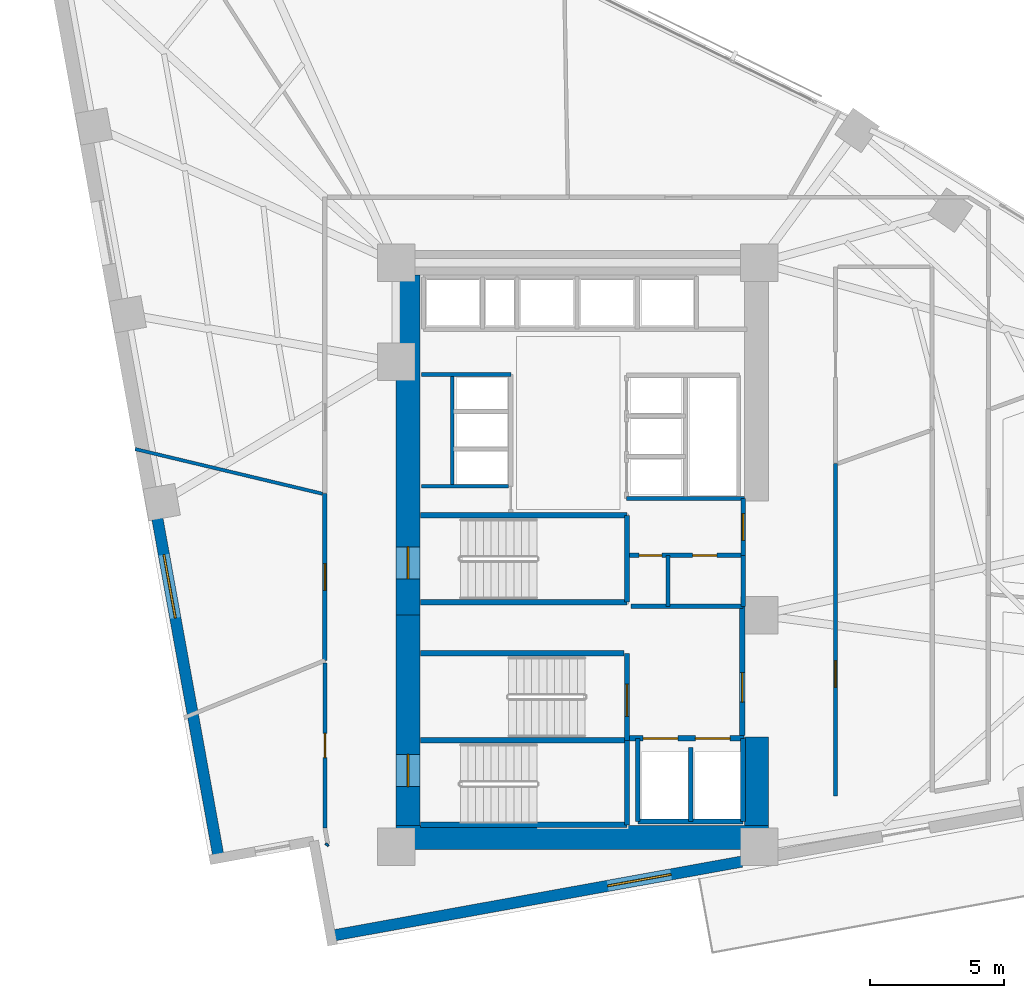
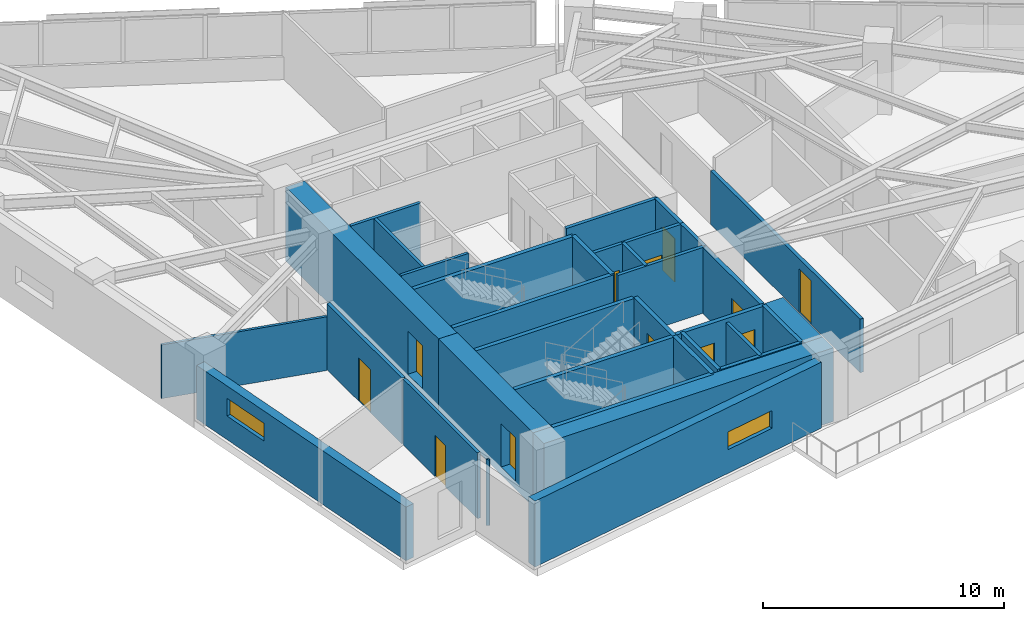
# One storey, part 13 of 18: 34 walls, 12 doors, 2 windows, 14 openings.
"""IFC4 building model written with IfcOpenShell, lengths in metres."""

from ifc_helpers import new_model, si_unit, direction, frame, frame_2d, origin, place, context, subcontext, project, spatial, rectangle, extrude, material, layer, layer_set, type_object, element, fill, save


model = new_model("IFC4")

# Units and contexts
model_context = context("Model", 3, precision=1e-05, world=origin(), true_north=direction((0.0, 1.0)))
body_context = subcontext(model_context, "Body", "Model", "MODEL_VIEW")
ifc_project = project(units=[si_unit("LENGTHUNIT", "METRE"), si_unit("AREAUNIT", "SQUARE_METRE"), si_unit("VOLUMEUNIT", "CUBIC_METRE"), si_unit("PLANEANGLEUNIT", "RADIAN"), si_unit("MASSUNIT", "GRAM", prefix="KILO")], contexts=[model_context])

# Site, building, storey
site_placement = place(None, origin())
site = spatial("IfcSite", under=ifc_project, at=site_placement, CompositionType="ELEMENT")
building_placement = place(site_placement, origin())
building = spatial("IfcBuilding", under=site, at=building_placement, Name="Narakoshi Arena Tower", CompositionType="ELEMENT")
storey_placement = place(building_placement, frame((0.0, 0.0, 95.699951171875)))
storey = spatial("IfcBuildingStorey", under=building, at=storey_placement, Name="L25", CompositionType="ELEMENT", Elevation=95.699951171875)

# Wall, opening, door
ifc_material_1 = material(Name="Concrete C60/75", Category="concrete")
ifc_layer_1 = layer(ifc_material_1, 0.89990234375)
ifc_layer_set_1 = layer_set([ifc_layer_1], Name="Concrete C60/75")
wall_type_1 = type_object("IfcWallType", Name="WL-CORE-900", PredefinedType="SHEAR", material=ifc_layer_set_1)
wall_1_placement = place(storey_placement, frame((72.449951171875, 35.5, -0.39990234375), z_axis=(0.0, 0.0, 1.0), x_axis=(0.0, 1.0, 0.0)))
wall_1 = element("IfcWall", 1, at=wall_1_placement, inside=storey, type_object=wall_type_1, Name="L25 Central Core Shear Wall CW-APX-W", PredefinedType="SHEAR", context=body_context, shape_type="SweptSolid", body=[
    extrude(rectangle(XDim=7.85009765625, YDim=0.89990234375, at=frame_2d((3.925048828125, 0.0))), origin(), (0.0, 0.0, 1.0), 3.739990234375),
])
opening_1_placement = place(wall_1_placement, frame((1.449951171875, 0.0, 0.39990234375)))
opening_1 = element("IfcOpeningElement", 2, at=opening_1_placement, cuts=wall_1, Name="Opening D-03", PredefinedType="OPENING", context=body_context, shape_type="SweptSolid", body=[
    extrude(rectangle(XDim=1.199951171875, YDim=2.199951171875, at=frame_2d((0.60009765625, 1.10009765625))), frame((0.0, 0.4599609375, 0.0), z_axis=(0.0, -1.0, 0.0), x_axis=(1.0, 0.0, 0.0)), (0.0, 0.0, 1.0), 0.919921875),
])
ifc_material_2 = material(Name="Painted galvanized steel", Category="steel")
door_type_1 = type_object("IfcDoorType", Name="DR-STR-1200", OperationType="NOTDEFINED", PredefinedType="USERDEFINED", material=ifc_material_2)
door_1_placement = place(opening_1_placement, frame((1.199951171875, 0.0, 0.0), z_axis=(0.0, 0.0, 1.0), x_axis=(-1.0, 0.0, 0.0)))
door_1 = element("IfcDoor", 3, at=door_1_placement, inside=storey, type_object=door_type_1, Name="DR-L25-002", ObjectType="EXITDOOR", OperationType="SINGLE_SWING_LEFT", OverallHeight=2.199951171875, OverallWidth=1.199951171875, PredefinedType="USERDEFINED", context=body_context, shape_type="SweptSolid", body=[
    extrude(rectangle(XDim=1.199951171875, YDim=2.199951171875, at=frame_2d((0.60009765625, 1.10009765625))), frame((0.0, 0.02490234375, 0.0), z_axis=(0.0, -1.0, 0.0), x_axis=(1.0, 0.0, 0.0)), (0.0, 0.0, 1.0), 0.050048828125),
])
fill(opening_1, door_1)

# Walls
wall_2_placement = place(storey_placement, frame((72.0, 35.050048828125, -0.39990234375), z_axis=(0.0, 0.0, 1.0), x_axis=(1.0, 0.0, 0.0)))
element("IfcWall", 4, at=wall_2_placement, inside=storey, type_object=wall_type_1, Name="L25 Central Core Shear Wall CW-APX-S", PredefinedType="SHEAR", context=body_context, shape_type="SweptSolid", body=[
    extrude(rectangle(XDim=13.89990234375, YDim=0.89990234375, at=frame_2d((6.949951171875, 0.0))), origin(), (0.0, 0.0, 1.0), 3.739990234375),
])
wall_3_placement = place(storey_placement, frame((85.449951171875, 35.5, -0.39990234375), z_axis=(0.0, 0.0, 1.0), x_axis=(0.0, 1.0, 0.0)))
element("IfcWall", 5, at=wall_3_placement, inside=storey, type_object=wall_type_1, Name="L25 Central Core Shear Wall CW-APX-E", PredefinedType="SHEAR", context=body_context, shape_type="SweptSolid", body=[
    extrude(rectangle(XDim=3.300048828125, YDim=0.89990234375, at=frame_2d((1.64990234375, 0.0))), origin(), (0.0, 0.0, 1.0), 3.739990234375),
])

# Wall, opening, door
wall_4_placement = place(storey_placement, frame((72.449951171875, 43.35009765625, -0.39990234375), z_axis=(0.0, 0.0, 1.0), x_axis=(0.0, 1.0, 0.0)))
wall_4 = element("IfcWall", 6, at=wall_4_placement, inside=storey, type_object=wall_type_1, Name="L25 Main Core Shear Wall CW-MN-W", PredefinedType="SHEAR", context=body_context, shape_type="SweptSolid", body=[
    extrude(rectangle(XDim=12.699951171875, YDim=0.89990234375, at=frame_2d((6.35009765625, 0.0))), origin(), (0.0, 0.0, 1.0), 3.739990234375),
])
opening_2_placement = place(wall_4_placement, frame((1.35009765625, 0.0, 0.39990234375)))
opening_2 = element("IfcOpeningElement", 7, at=opening_2_placement, cuts=wall_4, Name="Opening D-03", PredefinedType="OPENING", context=body_context, shape_type="SweptSolid", body=[
    extrude(rectangle(XDim=1.199951171875, YDim=2.199951171875, at=frame_2d((0.60009765625, 1.10009765625))), frame((0.0, 0.4599609375, 0.0), z_axis=(0.0, -1.0, 0.0), x_axis=(1.0, 0.0, 0.0)), (0.0, 0.0, 1.0), 0.919921875),
])
door_2_placement = place(opening_2_placement, frame((1.199951171875, 0.0, 0.0), z_axis=(0.0, 0.0, 1.0), x_axis=(-1.0, 0.0, 0.0)))
door_2 = element("IfcDoor", 8, at=door_2_placement, inside=storey, type_object=door_type_1, Name="DR-L25-007", ObjectType="EXITDOOR", OperationType="SINGLE_SWING_LEFT", OverallHeight=2.199951171875, OverallWidth=1.199951171875, PredefinedType="USERDEFINED", context=body_context, shape_type="SweptSolid", body=[
    extrude(rectangle(XDim=1.199951171875, YDim=2.199951171875, at=frame_2d((0.60009765625, 1.10009765625))), frame((0.0, 0.02490234375, 0.0), z_axis=(0.0, -1.0, 0.0), x_axis=(1.0, 0.0, 0.0)), (0.0, 0.0, 1.0), 0.050048828125),
])
fill(opening_2, door_2)

ifc_material_3 = material(Name="Gypsum plasterboard fire-rated partition")
ifc_layer_2 = layer(ifc_material_3, 0.1650390625)
ifc_layer_set_2 = layer_set([ifc_layer_2], Name="Gypsum plasterboard fire-rated partition")
wall_type_2 = type_object("IfcWallType", Name="WL-CORR-165", PredefinedType="PARTITIONING", material=ifc_layer_set_2)
wall_5_placement = place(storey_placement, frame((84.949951171875, 45.580078125, 0.0), z_axis=(0.0, 0.0, 1.0), x_axis=(0.0, 1.0, 0.0)))
wall_5 = element("IfcWall", 9, at=wall_5_placement, inside=storey, type_object=wall_type_2, Name="L25 Core Wall CPAS-E", PredefinedType="PARTITIONING", context=body_context, shape_type="SweptSolid", body=[
    extrude(rectangle(XDim=2.119873046875, YDim=0.1650390625, at=frame_2d((1.06005859375, 0.0))), origin(), (0.0, 0.0, 1.0), 3.340087890625),
])
opening_3_placement = place(wall_5_placement, frame((0.56005859375, 0.0, 0.0)))
opening_3 = element("IfcOpeningElement", 10, at=opening_3_placement, cuts=wall_5, Name="Opening D-06", PredefinedType="OPENING", context=body_context, shape_type="SweptSolid", body=[
    extrude(rectangle(XDim=1.0, YDim=2.199951171875, at=frame_2d((0.5, 1.10009765625))), frame((0.0, 0.092529296875, 0.0), z_axis=(0.0, -1.0, 0.0), x_axis=(1.0, 0.0, 0.0)), (0.0, 0.0, 1.0), 0.18505859375),
])
ifc_material_4 = material(Name="Stained oak solid-core timber", Category="wood")
door_type_2 = type_object("IfcDoorType", Name="DR-OFF-1000", OperationType="NOTDEFINED", PredefinedType="DOOR", material=ifc_material_4)
door_3_placement = place(opening_3_placement, frame((1.0, 0.0, 0.0), z_axis=(0.0, 0.0, 1.0), x_axis=(-1.0, 0.0, 0.0)))
door_3 = element("IfcDoor", 11, at=door_3_placement, inside=storey, type_object=door_type_2, Name="DR-L25-008", OperationType="SINGLE_SWING_LEFT", OverallHeight=2.199951171875, OverallWidth=1.0, PredefinedType="DOOR", context=body_context, shape_type="SweptSolid", body=[
    extrude(rectangle(XDim=1.0, YDim=2.199951171875, at=frame_2d((0.5, 1.10009765625))), frame((0.0, 0.02490234375, 0.0), z_axis=(0.0, -1.0, 0.0), x_axis=(1.0, 0.0, 0.0)), (0.0, 0.0, 1.0), 0.050048828125),
])
fill(opening_3, door_3)

wall_6_placement = place(storey_placement, frame((69.344970703125, 47.891357421875, 0.0), z_axis=(0.0, 0.0, 1.0), x_axis=(0.0, -1.0, 0.0)))
wall_6 = element("IfcWall", 12, at=wall_6_placement, inside=storey, type_object=wall_type_2, Name="L25 Corridor Partition 01-1", PredefinedType="PARTITIONING", context=body_context, shape_type="SweptSolid", body=[
    extrude(rectangle(XDim=6.23193359375, YDim=0.1650390625, at=frame_2d((3.115966796875, 0.0))), origin(), (0.0, 0.0, 1.0), 3.340087890625),
])
opening_4_placement = place(wall_6_placement, frame((2.615966796875, 0.0, 0.0)))
opening_4 = element("IfcOpeningElement", 13, at=opening_4_placement, cuts=wall_6, Name="Opening D-06", PredefinedType="OPENING", context=body_context, shape_type="SweptSolid", body=[
    extrude(rectangle(XDim=1.0, YDim=2.199951171875, at=frame_2d((0.5, 1.10009765625))), frame((0.0, 0.092529296875, 0.0), z_axis=(0.0, -1.0, 0.0), x_axis=(1.0, 0.0, 0.0)), (0.0, 0.0, 1.0), 0.18505859375),
])
door_4_placement = place(opening_4_placement, frame((1.0, 0.0, 0.0), z_axis=(0.0, 0.0, 1.0), x_axis=(-1.0, 0.0, 0.0)))
door_4 = element("IfcDoor", 14, at=door_4_placement, inside=storey, type_object=door_type_2, Name="DR-L25-015", OperationType="SINGLE_SWING_LEFT", OverallHeight=2.199951171875, OverallWidth=1.0, PredefinedType="DOOR", context=body_context, shape_type="SweptSolid", body=[
    extrude(rectangle(XDim=1.0, YDim=2.199951171875, at=frame_2d((0.5, 1.10009765625))), frame((0.0, 0.02490234375, 0.0), z_axis=(0.0, -1.0, 0.0), x_axis=(1.0, 0.0, 0.0)), (0.0, 0.0, 1.0), 0.050048828125),
])
fill(opening_4, door_4)

wall_7_placement = place(storey_placement, frame((88.39990234375, 36.59912109375, 0.0), z_axis=(0.0, 0.0, 1.0), x_axis=(0.0, 1.0, 0.0)))
wall_7 = element("IfcWall", 15, at=wall_7_placement, inside=storey, type_object=wall_type_2, Name="L25 Corridor Partition 04-1", PredefinedType="PARTITIONING", context=body_context, shape_type="SweptSolid", body=[
    extrude(rectangle(XDim=12.41064453125, YDim=0.1650390625, at=frame_2d((6.205322265625, 0.0))), origin(), (0.0, 0.0, 1.0), 2.72509765625),
])
opening_5_placement = place(wall_7_placement, frame((4.0537109375, 0.0, 0.0)))
opening_5 = element("IfcOpeningElement", 16, at=opening_5_placement, cuts=wall_7, Name="Opening D-06", PredefinedType="OPENING", context=body_context, shape_type="SweptSolid", body=[
    extrude(rectangle(XDim=1.0, YDim=2.199951171875, at=frame_2d((0.5, 1.10009765625))), frame((0.0, 0.092529296875, 0.0), z_axis=(0.0, -1.0, 0.0), x_axis=(1.0, 0.0, 0.0)), (0.0, 0.0, 1.0), 0.18505859375),
])
door_5_placement = place(opening_5_placement, frame((1.0, 0.0, 0.0), z_axis=(0.0, 0.0, 1.0), x_axis=(-1.0, 0.0, 0.0)))
door_5 = element("IfcDoor", 17, at=door_5_placement, inside=storey, type_object=door_type_2, Name="DR-L25-018", OperationType="SINGLE_SWING_RIGHT", OverallHeight=2.199951171875, OverallWidth=1.0, PredefinedType="DOOR", context=body_context, shape_type="SweptSolid", body=[
    extrude(rectangle(XDim=1.0, YDim=2.199951171875, at=frame_2d((0.5, 1.10009765625))), frame((0.0, 0.02490234375, 0.0), z_axis=(0.0, -1.0, 0.0), x_axis=(1.0, 0.0, 0.0)), (0.0, 0.0, 1.0), 0.050048828125),
])
fill(opening_5, door_5)

# Wall
ifc_layer_3 = layer(ifc_material_3, 0.125)
ifc_layer_set_3 = layer_set([ifc_layer_3], Name="Gypsum plasterboard fire-rated partition")
wall_type_3 = type_object("IfcWallType", Name="WL-PART-125", PredefinedType="PARTITIONING", material=ifc_layer_set_3)
wall_8_placement = place(storey_placement, frame((62.267333984375, 49.54541015625, 0.0), z_axis=(0.0, 0.0, 1.0), x_axis=(0.972677629919, -0.23215991957, 0.0)))
element("IfcWall", 18, at=wall_8_placement, inside=storey, type_object=wall_type_3, Name="L25 Inter-Room Partition 01-09", PredefinedType="PARTITIONING", context=body_context, shape_type="SweptSolid", body=[
    extrude(rectangle(XDim=7.17919921875, YDim=0.125, at=frame_2d((3.589599609375, 0.0))), origin(), (0.0, 0.0, 1.0), 2.72509765625),
])

# Wall, opening, window
ifc_material_5 = material(Name="Precast concrete C45/55", Category="concrete")
ifc_layer_4 = layer(ifc_material_5, 0.419921875)
ifc_layer_set_4 = layer_set([ifc_layer_4], Name="Precast concrete C45/55")
wall_type_4 = type_object("IfcWallType", Name="WL-POD-420", PredefinedType="SOLIDWALL", material=ifc_layer_set_4)
wall_9_placement = place(storey_placement, frame((69.564697265625, 31.376953125, 0.0), z_axis=(0.0, 0.0, 1.0), x_axis=(0.98404091451, 0.177942346197, 0.0)))
wall_9 = element("IfcWall", 19, at=wall_9_placement, inside=storey, type_object=wall_type_4, Name="L25 Architectural Concrete Facade Wall LEGA-1", PredefinedType="SOLIDWALL", context=body_context, shape_type="SweptSolid", body=[
    extrude(rectangle(XDim=15.58349609375, YDim=0.419921875, at=frame_2d((7.791748046875, 0.0))), origin(), (0.0, 0.0, 1.0), 3.340087890625),
])
opening_6_placement = place(wall_9_placement, frame((10.5, 0.0, 1.199951171875)))
opening_6 = element("IfcOpeningElement", 20, at=opening_6_placement, cuts=wall_9, Name="Opening WN-01", PredefinedType="OPENING", context=body_context, shape_type="SweptSolid", body=[
    extrude(rectangle(XDim=2.39990234375, YDim=0.89990234375, at=frame_2d((1.199951171875, 0.449951171875))), frame((0.0, 0.219970703125, 0.0), z_axis=(0.0, -1.0, 0.0), x_axis=(1.0, 0.0, 0.0)), (0.0, 0.0, 1.0), 0.43994140625),
])
ifc_material_6 = material(Name="Bronze-tinted low-E laminated glass", Category="glass")
window_type = type_object("IfcWindowType", Name="WIN-SLT-24x09", PartitioningType="SINGLE_PANEL", PredefinedType="WINDOW", material=ifc_material_6)
window_1_placement = place(opening_6_placement, origin())
window_1 = element("IfcWindow", 21, at=window_1_placement, inside=storey, type_object=window_type, Name="L25 LEGA1 Horizontal Slot Window 1", OverallHeight=0.89990234375, OverallWidth=2.39990234375, PartitioningType="SINGLE_PANEL", PredefinedType="WINDOW", context=body_context, shape_type="SweptSolid", body=[
    extrude(rectangle(XDim=2.39990234375, YDim=0.89990234375, at=frame_2d((1.199951171875, 0.449951171875))), frame((0.0, 0.030029296875, 0.0), z_axis=(0.0, -1.0, 0.0), x_axis=(1.0, 0.0, 0.0)), (0.0, 0.0, 1.0), 0.06005859375),
])
fill(opening_6, window_1)

wall_10_placement = place(storey_placement, frame((62.989501953125, 47.517578125, 0.0), z_axis=(0.0, 0.0, 1.0), x_axis=(0.177948058674, -0.984039881516, 0.0)))
wall_10 = element("IfcWall", 22, at=wall_10_placement, inside=storey, type_object=wall_type_4, Name="L25 Architectural Concrete Facade Wall LEGB-3", PredefinedType="SOLIDWALL", context=body_context, shape_type="SweptSolid", body=[
    extrude(rectangle(XDim=13.455078125, YDim=0.419921875, at=frame_2d((6.7275390625, 0.0))), origin(), (0.0, 0.0, 1.0), 2.72509765625),
])
opening_7_placement = place(wall_10_placement, frame((1.945068359375, 0.0, 1.199951171875)))
opening_7 = element("IfcOpeningElement", 23, at=opening_7_placement, cuts=wall_10, Name="Opening WN-01", PredefinedType="OPENING", context=body_context, shape_type="SweptSolid", body=[
    extrude(rectangle(XDim=2.39990234375, YDim=0.89990234375, at=frame_2d((1.199951171875, 0.449951171875))), frame((0.0, 0.219970703125, 0.0), z_axis=(0.0, -1.0, 0.0), x_axis=(1.0, 0.0, 0.0)), (0.0, 0.0, 1.0), 0.43994140625),
])
window_2_placement = place(opening_7_placement, origin())
window_2 = element("IfcWindow", 24, at=window_2_placement, inside=storey, type_object=window_type, Name="L25 LEGB3 Horizontal Slot Window 1", OverallHeight=0.89990234375, OverallWidth=2.39990234375, PartitioningType="SINGLE_PANEL", PredefinedType="WINDOW", context=body_context, shape_type="SweptSolid", body=[
    extrude(rectangle(XDim=2.39990234375, YDim=0.89990234375, at=frame_2d((1.199951171875, 0.449951171875))), frame((0.0, 0.030029296875, 0.0), z_axis=(0.0, -1.0, 0.0), x_axis=(1.0, 0.0, 0.0)), (0.0, 0.0, 1.0), 0.06005859375),
])
fill(opening_7, window_2)

# Walls
ifc_material_7 = material(Name="Concrete C40/50", Category="concrete")
ifc_layer_5 = layer(ifc_material_7, 0.280029296875)
ifc_layer_set_5 = layer_set([ifc_layer_5], Name="Concrete C40/50")
wall_type_5 = type_object("IfcWallType", Name="WL-RISER-280", PredefinedType="PLUMBINGWALL", material=ifc_layer_set_5)
wall_11_placement = place(storey_placement, frame((83.0, 35.64990234375, 0.0), z_axis=(0.0, 0.0, 1.0), x_axis=(0.0, 1.0, 0.0)))
element("IfcWall", 25, at=wall_11_placement, inside=storey, type_object=wall_type_5, Name="L25 Core Wall FF-DIV", PredefinedType="PLUMBINGWALL", context=body_context, shape_type="SweptSolid", body=[
    extrude(rectangle(XDim=2.75, YDim=0.159912109375, at=frame_2d((1.375, 0.0))), origin(), (0.0, 0.0, 1.0), 3.340087890625),
])
wall_12_placement = place(storey_placement, frame((84.949951171875, 43.679931640625, 0.0), z_axis=(0.0, 0.0, 1.0), x_axis=(0.0, 1.0, 0.0)))
element("IfcWall", 26, at=wall_12_placement, inside=storey, type_object=wall_type_5, Name="L25 Core Wall RSR-E", PredefinedType="PLUMBINGWALL", context=body_context, shape_type="SweptSolid", body=[
    extrude(rectangle(XDim=1.900146484375, YDim=0.1650390625, at=frame_2d((0.9501953125, 0.0))), origin(), (0.0, 0.0, 1.0), 3.340087890625),
])

# Wall, openings, doors
wall_13_placement = place(storey_placement, frame((80.719970703125, 45.580078125, 0.0), z_axis=(0.0, 0.0, 1.0), x_axis=(1.0, 0.0, 0.0)))
wall_13 = element("IfcWall", 27, at=wall_13_placement, inside=storey, type_object=wall_type_5, Name="L25 Core Wall RSR-N", PredefinedType="PLUMBINGWALL", context=body_context, shape_type="SweptSolid", body=[
    extrude(rectangle(XDim=4.22998046875, YDim=0.159912109375, at=frame_2d((2.114990234375, 0.0))), origin(), (0.0, 0.0, 1.0), 3.340087890625),
])
opening_8_placement = place(wall_13_placement, frame((0.35009765625, 0.0, 0.0)))
opening_8 = element("IfcOpeningElement", 28, at=opening_8_placement, cuts=wall_13, Name="Opening D-10", PredefinedType="OPENING", context=body_context, shape_type="SweptSolid", body=[
    extrude(rectangle(XDim=0.85009765625, YDim=2.050048828125, at=frame_2d((0.425048828125, 1.02490234375))), frame((0.0, 0.08984375, 0.0), z_axis=(0.0, -1.0, 0.0), x_axis=(1.0, 0.0, 0.0)), (0.0, 0.0, 1.0), 0.179931640625),
])
opening_9_placement = place(wall_13_placement, frame((2.35009765625, 0.0, 0.0)))
opening_9 = element("IfcOpeningElement", 29, at=opening_9_placement, cuts=wall_13, Name="Opening D-08", PredefinedType="OPENING", context=body_context, shape_type="SweptSolid", body=[
    extrude(rectangle(XDim=0.89990234375, YDim=2.10009765625, at=frame_2d((0.449951171875, 1.050048828125))), frame((0.0, 0.08984375, 0.0), z_axis=(0.0, -1.0, 0.0), x_axis=(1.0, 0.0, 0.0)), (0.0, 0.0, 1.0), 0.179931640625),
])
door_type_3 = type_object("IfcDoorType", Name="DR-RSR-850", OperationType="NOTDEFINED", PredefinedType="DOOR", material=ifc_material_2)
door_6_placement = place(opening_8_placement, frame((0.85009765625, 0.0, 0.0), z_axis=(0.0, 0.0, 1.0), x_axis=(-1.0, 0.0, 0.0)))
door_6 = element("IfcDoor", 30, at=door_6_placement, inside=storey, type_object=door_type_3, Name="DR-L25-009", OperationType="SINGLE_SWING_LEFT", OverallHeight=2.050048828125, OverallWidth=0.85009765625, PredefinedType="DOOR", context=body_context, shape_type="SweptSolid", body=[
    extrude(rectangle(XDim=0.85009765625, YDim=2.050048828125, at=frame_2d((0.425048828125, 1.02490234375))), frame((0.0, 0.02490234375, 0.0), z_axis=(0.0, -1.0, 0.0), x_axis=(1.0, 0.0, 0.0)), (0.0, 0.0, 1.0), 0.050048828125),
])
fill(opening_8, door_6)
ifc_material_8 = material(Name="Moisture-resistant laminate timber", Category="wood")
door_type_4 = type_object("IfcDoorType", Name="DR-WC-900", OperationType="NOTDEFINED", PredefinedType="DOOR", material=ifc_material_8)
door_7_placement = place(opening_9_placement, frame((0.89990234375, 0.0, 0.0), z_axis=(0.0, 0.0, 1.0), x_axis=(-1.0, 0.0, 0.0)))
door_7 = element("IfcDoor", 31, at=door_7_placement, inside=storey, type_object=door_type_4, Name="DR-L25-010", OperationType="SINGLE_SWING_RIGHT", OverallHeight=2.10009765625, OverallWidth=0.89990234375, PredefinedType="DOOR", context=body_context, shape_type="SweptSolid", body=[
    extrude(rectangle(XDim=0.89990234375, YDim=2.10009765625, at=frame_2d((0.449951171875, 1.050048828125))), frame((0.0, 0.02490234375, 0.0), z_axis=(0.0, -1.0, 0.0), x_axis=(1.0, 0.0, 0.0)), (0.0, 0.0, 1.0), 0.050048828125),
])
fill(opening_9, door_7)

# Walls
wall_14_placement = place(storey_placement, frame((80.760009765625, 43.679931640625, 0.0), z_axis=(0.0, 0.0, 1.0), x_axis=(1.0, 0.0, 0.0)))
element("IfcWall", 32, at=wall_14_placement, inside=storey, type_object=wall_type_5, Name="L25 Core Wall RSR-S", PredefinedType="PLUMBINGWALL", context=body_context, shape_type="SweptSolid", body=[
    extrude(rectangle(XDim=4.18994140625, YDim=0.159912109375, at=frame_2d((2.094970703125, 0.0))), origin(), (0.0, 0.0, 1.0), 3.340087890625),
])
wall_15_placement = place(storey_placement, frame((82.14990234375, 43.679931640625, 0.0), z_axis=(0.0, 0.0, 1.0), x_axis=(0.0, 1.0, 0.0)))
element("IfcWall", 33, at=wall_15_placement, inside=storey, type_object=wall_type_5, Name="L25 Core Wall RSR-M", PredefinedType="PLUMBINGWALL", context=body_context, shape_type="SweptSolid", body=[
    extrude(rectangle(XDim=1.900146484375, YDim=0.159912109375, at=frame_2d((0.9501953125, 0.0))), origin(), (0.0, 0.0, 1.0), 3.340087890625),
])
wall_16_placement = place(storey_placement, frame((72.949951171875, 48.159912109375, 0.0), z_axis=(0.0, 0.0, 1.0), x_axis=(1.0, 0.0, 0.0)))
element("IfcWall", 34, at=wall_16_placement, inside=storey, type_object=wall_type_5, Name="L25 Core Wall LR-S0", PredefinedType="PLUMBINGWALL", context=body_context, shape_type="SweptSolid", body=[
    extrude(rectangle(XDim=3.239990234375, YDim=0.139892578125, at=frame_2d((1.6201171875, 0.0))), origin(), (0.0, 0.0, 1.0), 3.340087890625),
])
wall_17_placement = place(storey_placement, frame((74.10009765625, 48.159912109375, 0.0), z_axis=(0.0, 0.0, 1.0), x_axis=(0.0, 1.0, 0.0)))
element("IfcWall", 35, at=wall_17_placement, inside=storey, type_object=wall_type_5, Name="L25 Core Wall LR-W", PredefinedType="PLUMBINGWALL", context=body_context, shape_type="SweptSolid", body=[
    extrude(rectangle(XDim=4.16015625, YDim=0.139892578125, at=frame_2d((2.080078125, 0.0))), origin(), (0.0, 0.0, 1.0), 3.340087890625),
])
ifc_material_9 = material(Name="Concrete C50/60", Category="concrete")
ifc_layer_6 = layer(ifc_material_9, 0.35009765625)
ifc_layer_set_6 = layer_set([ifc_layer_6], Name="Concrete C50/60")
wall_type_6 = type_object("IfcWallType", Name="WL-SHAFT-350", PredefinedType="SOLIDWALL", material=ifc_layer_set_6)
for number, where, z_axis, x_axis, name in (
    (36, (72.919921875, 35.52001953125, -0.39990234375), (0.0, 0.0, 1.0), (1.0, 0.0, 0.0), "L25 Core Wall ST1-S"),
    (37, (72.919921875, 38.675048828125, -0.39990234375), (0.0, 0.0, 1.0), (1.0, 0.0, 0.0), "L25 Core Wall ST12-DIV"),
):
    element("IfcWall", number, at=place(storey_placement, frame(where, z_axis=z_axis, x_axis=x_axis)), inside=storey, type_object=wall_type_6, Name=name, PredefinedType="SOLIDWALL", context=body_context, shape_type="SweptSolid", body=[
        extrude(rectangle(XDim=7.7001953125, YDim=0.199951171875, at=frame_2d((3.85009765625, 0.0))), origin(), (0.0, 0.0, 1.0), 3.739990234375),
    ])
wall_18_placement = place(storey_placement, frame((80.6201171875, 35.52001953125, -0.39990234375), z_axis=(0.0, 0.0, 1.0), x_axis=(0.0, 1.0, 0.0)))
element("IfcWall", 38, at=wall_18_placement, inside=storey, type_object=wall_type_6, Name="L25 Core Wall ST1-E", PredefinedType="SOLIDWALL", context=body_context, shape_type="SweptSolid", body=[
    extrude(rectangle(XDim=3.155029296875, YDim=0.199951171875, at=frame_2d((1.57763671875, 0.0))), origin(), (0.0, 0.0, 1.0), 3.739990234375),
])

# Wall, opening, door
wall_19_placement = place(storey_placement, frame((80.6201171875, 38.675048828125, -0.39990234375), z_axis=(0.0, 0.0, 1.0), x_axis=(0.0, 1.0, 0.0)))
wall_19 = element("IfcWall", 39, at=wall_19_placement, inside=storey, type_object=wall_type_6, Name="L25 Core Wall ST2-E", PredefinedType="SOLIDWALL", context=body_context, shape_type="SweptSolid", body=[
    extrude(rectangle(XDim=3.244873046875, YDim=0.199951171875, at=frame_2d((1.62255859375, 0.0))), origin(), (0.0, 0.0, 1.0), 3.739990234375),
])
opening_10_placement = place(wall_19_placement, frame((0.89990234375, 0.0, 0.39990234375)))
opening_10 = element("IfcOpeningElement", 40, at=opening_10_placement, cuts=wall_19, Name="Opening D-03", PredefinedType="OPENING", context=body_context, shape_type="SweptSolid", body=[
    extrude(rectangle(XDim=1.199951171875, YDim=2.199951171875, at=frame_2d((0.60009765625, 1.10009765625))), frame((0.0, 0.10986328125, 0.0), z_axis=(0.0, -1.0, 0.0), x_axis=(1.0, 0.0, 0.0)), (0.0, 0.0, 1.0), 0.219970703125),
])
door_8_placement = place(opening_10_placement, origin())
door_8 = element("IfcDoor", 41, at=door_8_placement, inside=storey, type_object=door_type_1, Name="DR-L25-003", ObjectType="EXITDOOR", OperationType="SINGLE_SWING_RIGHT", OverallHeight=2.199951171875, OverallWidth=1.199951171875, PredefinedType="USERDEFINED", context=body_context, shape_type="SweptSolid", body=[
    extrude(rectangle(XDim=1.199951171875, YDim=2.199951171875, at=frame_2d((0.60009765625, 1.10009765625))), frame((0.0, 0.02490234375, 0.0), z_axis=(0.0, -1.0, 0.0), x_axis=(1.0, 0.0, 0.0)), (0.0, 0.0, 1.0), 0.050048828125),
])
fill(opening_10, door_8)

# Wall, openings, doors
wall_20_placement = place(storey_placement, frame((80.719970703125, 38.75, 0.0), z_axis=(0.0, 0.0, 1.0), x_axis=(1.0, 0.0, 0.0)))
wall_20 = element("IfcWall", 42, at=wall_20_placement, inside=storey, type_object=wall_type_6, Name="L25 Core Wall FF-N", PredefinedType="SOLIDWALL", context=body_context, shape_type="SweptSolid", body=[
    extrude(rectangle(XDim=4.260009765625, YDim=0.199951171875, at=frame_2d((2.1298828125, 0.0))), origin(), (0.0, 0.0, 1.0), 3.340087890625),
])
opening_11_placement = place(wall_20_placement, frame((0.5, 0.0, 0.0)))
opening_11 = element("IfcOpeningElement", 43, at=opening_11_placement, cuts=wall_20, Name="Opening LD-02", PredefinedType="OPENING", context=body_context, shape_type="SweptSolid", body=[
    extrude(rectangle(XDim=1.300048828125, YDim=2.300048828125, at=frame_2d((0.64990234375, 1.14990234375))), frame((0.0, 0.10986328125, 0.0), z_axis=(0.0, -1.0, 0.0), x_axis=(1.0, 0.0, 0.0)), (0.0, 0.0, 1.0), 0.219970703125),
])
opening_12_placement = place(wall_20_placement, frame((2.449951171875, 0.0, 0.0)))
opening_12 = element("IfcOpeningElement", 44, at=opening_12_placement, cuts=wall_20, Name="Opening LD-02", PredefinedType="OPENING", context=body_context, shape_type="SweptSolid", body=[
    extrude(rectangle(XDim=1.300048828125, YDim=2.300048828125, at=frame_2d((0.64990234375, 1.14990234375))), frame((0.0, 0.10986328125, 0.0), z_axis=(0.0, -1.0, 0.0), x_axis=(1.0, 0.0, 0.0)), (0.0, 0.0, 1.0), 0.219970703125),
])
ifc_material_10 = material(Name="Brushed bronze stainless steel", Category="steel")
door_type_5 = type_object("IfcDoorType", Name="DR-LFT-1300", OperationType="DOUBLE_DOOR_SLIDING", PredefinedType="DOOR", material=ifc_material_10)
door_9_placement = place(opening_11_placement, origin())
door_9 = element("IfcDoor", 45, at=door_9_placement, inside=storey, type_object=door_type_5, Name="DR-L25-004", OperationType="DOUBLE_DOOR_SLIDING", OverallHeight=2.300048828125, OverallWidth=1.300048828125, PredefinedType="DOOR", context=body_context, shape_type="SweptSolid", body=[
    extrude(rectangle(XDim=1.300048828125, YDim=2.300048828125, at=frame_2d((0.64990234375, 1.14990234375))), frame((0.0, 0.02490234375, 0.0), z_axis=(0.0, -1.0, 0.0), x_axis=(1.0, 0.0, 0.0)), (0.0, 0.0, 1.0), 0.050048828125),
])
fill(opening_11, door_9)
door_10_placement = place(opening_12_placement, origin())
door_10 = element("IfcDoor", 46, at=door_10_placement, inside=storey, type_object=door_type_5, Name="DR-L25-005", OperationType="DOUBLE_DOOR_SLIDING", OverallHeight=2.300048828125, OverallWidth=1.300048828125, PredefinedType="DOOR", context=body_context, shape_type="SweptSolid", body=[
    extrude(rectangle(XDim=1.300048828125, YDim=2.300048828125, at=frame_2d((0.64990234375, 1.14990234375))), frame((0.0, 0.02490234375, 0.0), z_axis=(0.0, -1.0, 0.0), x_axis=(1.0, 0.0, 0.0)), (0.0, 0.0, 1.0), 0.050048828125),
])
fill(opening_12, door_10)

# Walls
for number, where, z_axis, x_axis, name in (
    (47, (84.949951171875, 35.64990234375, 0.0), (0.0, 0.0, 1.0), (0.0, 1.0, 0.0), "L25 Core Wall FF-E"),
    (48, (81.02001953125, 35.64990234375, 0.0), (0.0, 0.0, 1.0), (0.0, 1.0, 0.0), "L25 Core Wall FF-W"),
):
    element("IfcWall", number, at=place(storey_placement, frame(where, z_axis=z_axis, x_axis=x_axis)), inside=storey, type_object=wall_type_6, Name=name, PredefinedType="SOLIDWALL", context=body_context, shape_type="SweptSolid", body=[
        extrude(rectangle(XDim=3.10009765625, YDim=0.179931640625, at=frame_2d((1.550048828125, 0.0))), origin(), (0.0, 0.0, 1.0), 3.340087890625),
    ])
wall_21_placement = place(storey_placement, frame((81.02001953125, 35.64990234375, 0.0), z_axis=(0.0, 0.0, 1.0), x_axis=(1.0, 0.0, 0.0)))
element("IfcWall", 49, at=wall_21_placement, inside=storey, type_object=wall_type_6, Name="L25 Core Wall FF-S", PredefinedType="SOLIDWALL", context=body_context, shape_type="SweptSolid", body=[
    extrude(rectangle(XDim=3.929931640625, YDim=0.179931640625, at=frame_2d((1.96484375, 0.0))), origin(), (0.0, 0.0, 1.0), 3.340087890625),
])

# Wall, opening, door
wall_22_placement = place(storey_placement, frame((84.919921875, 38.85009765625, 0.0), z_axis=(0.0, 0.0, 1.0), x_axis=(0.0, 1.0, 0.0)))
wall_22 = element("IfcWall", 50, at=wall_22_placement, inside=storey, type_object=wall_type_6, Name="L25 Core Wall FFLOB-E", PredefinedType="SOLIDWALL", context=body_context, shape_type="SweptSolid", body=[
    extrude(rectangle(XDim=4.829833984375, YDim=0.199951171875, at=frame_2d((2.4150390625, 0.0))), origin(), (0.0, 0.0, 1.0), 3.340087890625),
])
opening_13_placement = place(wall_22_placement, frame((1.25, 0.0, 0.0)))
opening_13 = element("IfcOpeningElement", 51, at=opening_13_placement, cuts=wall_22, Name="Opening D-04", PredefinedType="OPENING", context=body_context, shape_type="SweptSolid", body=[
    extrude(rectangle(XDim=1.10009765625, YDim=2.199951171875, at=frame_2d((0.550048828125, 1.10009765625))), frame((0.0, 0.10986328125, 0.0), z_axis=(0.0, -1.0, 0.0), x_axis=(1.0, 0.0, 0.0)), (0.0, 0.0, 1.0), 0.219970703125),
])
door_type_6 = type_object("IfcDoorType", Name="DR-FFL-1100", OperationType="NOTDEFINED", PredefinedType="DOOR", material=ifc_material_2)
door_11_placement = place(opening_13_placement, frame((1.10009765625, 0.0, 0.0), z_axis=(0.0, 0.0, 1.0), x_axis=(-1.0, 0.0, 0.0)))
door_11 = element("IfcDoor", 52, at=door_11_placement, inside=storey, type_object=door_type_6, Name="DR-L25-006", OperationType="SINGLE_SWING_RIGHT", OverallHeight=2.199951171875, OverallWidth=1.10009765625, PredefinedType="DOOR", context=body_context, shape_type="SweptSolid", body=[
    extrude(rectangle(XDim=1.10009765625, YDim=2.199951171875, at=frame_2d((0.550048828125, 1.10009765625))), frame((0.0, 0.02490234375, 0.0), z_axis=(0.0, -1.0, 0.0), x_axis=(1.0, 0.0, 0.0)), (0.0, 0.0, 1.0), 0.050048828125),
])
fill(opening_13, door_11)

# Walls
wall_23_placement = place(storey_placement, frame((72.919921875, 41.919921875, -0.39990234375), z_axis=(0.0, 0.0, 1.0), x_axis=(1.0, 0.0, 0.0)))
element("IfcWall", 53, at=wall_23_placement, inside=storey, type_object=wall_type_6, Name="L25 Core Wall ST2-N", PredefinedType="SOLIDWALL", context=body_context, shape_type="SweptSolid", body=[
    extrude(rectangle(XDim=7.580078125, YDim=0.199951171875, at=frame_2d((3.7900390625, 0.0))), origin(), (0.0, 0.0, 1.0), 3.739990234375),
])
for number, where, z_axis, x_axis, name in (
    (54, (72.919921875, 43.830078125, -0.39990234375), (0.0, 0.0, 1.0), (1.0, 0.0, 0.0), "L25 Core Wall ST3-S"),
    (55, (72.919921875, 47.070068359375, -0.39990234375), (0.0, 0.0, 1.0), (1.0, 0.0, 0.0), "L25 Core Wall ST3-N"),
):
    element("IfcWall", number, at=place(storey_placement, frame(where, z_axis=z_axis, x_axis=x_axis)), inside=storey, type_object=wall_type_6, Name=name, PredefinedType="SOLIDWALL", context=body_context, shape_type="SweptSolid", body=[
        extrude(rectangle(XDim=7.7001953125, YDim=0.199951171875, at=frame_2d((3.85009765625, 0.0))), origin(), (0.0, 0.0, 1.0), 3.739990234375),
    ])
wall_24_placement = place(storey_placement, frame((80.6201171875, 43.830078125, -0.39990234375), z_axis=(0.0, 0.0, 1.0), x_axis=(0.0, 1.0, 0.0)))
element("IfcWall", 56, at=wall_24_placement, inside=storey, type_object=wall_type_6, Name="L25 Core Wall ST3-E", PredefinedType="SOLIDWALL", context=body_context, shape_type="SweptSolid", body=[
    extrude(rectangle(XDim=3.239990234375, YDim=0.199951171875, at=frame_2d((1.6201171875, 0.0))), origin(), (0.0, 0.0, 1.0), 3.739990234375),
])
wall_25_placement = place(storey_placement, frame((72.949951171875, 52.320068359375, 0.0), z_axis=(0.0, 0.0, 1.0), x_axis=(1.0, 0.0, 0.0)))
element("IfcWall", 57, at=wall_25_placement, inside=storey, type_object=wall_type_6, Name="L25 Core Wall LR-N", PredefinedType="SOLIDWALL", context=body_context, shape_type="SweptSolid", body=[
    extrude(rectangle(XDim=3.330078125, YDim=0.14990234375, at=frame_2d((1.6650390625, 0.0))), origin(), (0.0, 0.0, 1.0), 3.340087890625),
])
wall_26_placement = place(storey_placement, frame((80.60009765625, 47.699951171875, 0.0), z_axis=(0.0, 0.0, 1.0), x_axis=(1.0, 0.0, 0.0)))
element("IfcWall", 58, at=wall_26_placement, inside=storey, type_object=wall_type_6, Name="L25 Core Wall MR-S", PredefinedType="SOLIDWALL", context=body_context, shape_type="SweptSolid", body=[
    extrude(rectangle(XDim=4.39990234375, YDim=0.159912109375, at=frame_2d((2.199951171875, 0.0))), origin(), (0.0, 0.0, 1.0), 3.340087890625),
])

# Wall, opening, door
ifc_material_11 = material(Name="Moisture-resistant cement-board partition")
ifc_layer_7 = layer(ifc_material_11, 0.14501953125)
ifc_layer_set_7 = layer_set([ifc_layer_7], Name="Moisture-resistant cement-board partition")
wall_type_7 = type_object("IfcWallType", Name="WL-WET-145", PredefinedType="PARTITIONING", material=ifc_layer_set_7)
wall_27_placement = place(storey_placement, frame((69.344970703125, 41.568115234375, 0.0), z_axis=(0.0, 0.0, 1.0), x_axis=(0.0, -1.0, 0.0)))
wall_27 = element("IfcWall", 59, at=wall_27_placement, inside=storey, type_object=wall_type_7, Name="L25 Corridor Partition 02-1", PredefinedType="PARTITIONING", context=body_context, shape_type="SweptSolid", body=[
    extrude(rectangle(XDim=6.16650390625, YDim=0.14501953125, at=frame_2d((3.083251953125, 0.0))), origin(), (0.0, 0.0, 1.0), 3.340087890625),
])
opening_14_placement = place(wall_27_placement, frame((2.63330078125, 0.0, 0.0)))
opening_14 = element("IfcOpeningElement", 60, at=opening_14_placement, cuts=wall_27, Name="Opening D-08", PredefinedType="OPENING", context=body_context, shape_type="SweptSolid", body=[
    extrude(rectangle(XDim=0.89990234375, YDim=2.10009765625, at=frame_2d((0.449951171875, 1.050048828125))), frame((0.0, 0.08251953125, 0.0), z_axis=(0.0, -1.0, 0.0), x_axis=(1.0, 0.0, 0.0)), (0.0, 0.0, 1.0), 0.1650390625),
])
door_12_placement = place(opening_14_placement, frame((0.89990234375, 0.0, 0.0), z_axis=(0.0, 0.0, 1.0), x_axis=(-1.0, 0.0, 0.0)))
door_12 = element("IfcDoor", 61, at=door_12_placement, inside=storey, type_object=door_type_4, Name="DR-L25-016", OperationType="SINGLE_SWING_LEFT", OverallHeight=2.10009765625, OverallWidth=0.89990234375, PredefinedType="DOOR", context=body_context, shape_type="SweptSolid", body=[
    extrude(rectangle(XDim=0.89990234375, YDim=2.10009765625, at=frame_2d((0.449951171875, 1.050048828125))), frame((0.0, 0.02490234375, 0.0), z_axis=(0.0, -1.0, 0.0), x_axis=(1.0, 0.0, 0.0)), (0.0, 0.0, 1.0), 0.050048828125),
])
fill(opening_14, door_12)

# Wall
wall_28_placement = place(storey_placement, frame((69.451416015625, 34.8125, 0.0), z_axis=(0.0, 0.0, 1.0), x_axis=(-0.652876925523, -0.757464005825, 0.0)))
element("IfcWall", 62, at=wall_28_placement, inside=storey, type_object=wall_type_7, Name="L25 Corridor Partition 02-3", PredefinedType="PARTITIONING", context=body_context, shape_type="SweptSolid", body=[
    extrude(rectangle(XDim=0.0771484375, YDim=0.14501953125, at=frame_2d((0.03857421875, 0.0))), origin(), (0.0, 0.0, 1.0), 3.340087890625),
])

save(model, "model.ifc")
